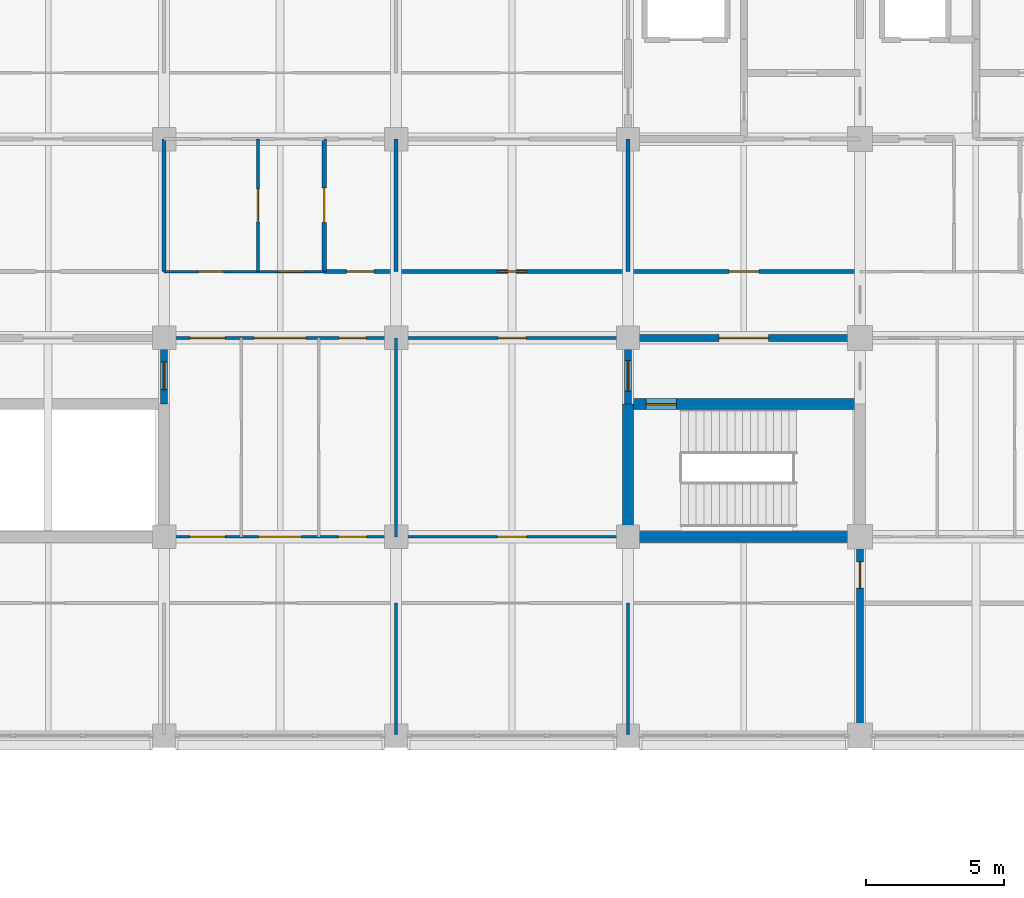
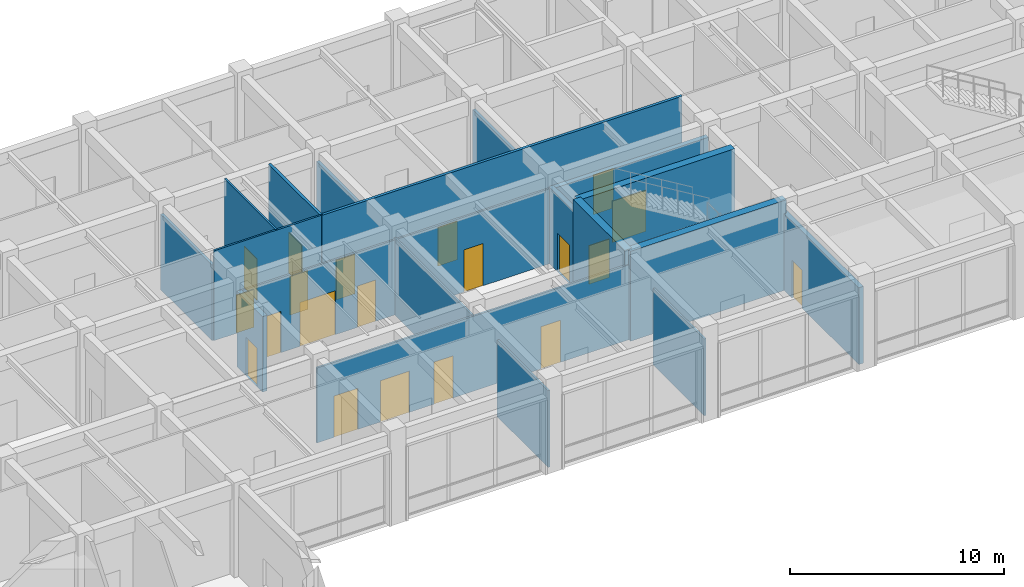
# One storey, part 34 of 58: 20 doors, 19 walls, 20 openings.
"""IFC4 building model written with IfcOpenShell, lengths in metres."""

from ifc_helpers import new_model, si_unit, direction, frame, frame_2d, origin, place, context, subcontext, project, spatial, rectangle, extrude, material, layer, layer_set, type_object, element, fill, save


model = new_model("IFC4")

# Units and contexts
model_context = context("Model", 3, precision=1e-05, world=origin(), true_north=direction((0.0, 1.0)))
body_context = subcontext(model_context, "Body", "Model", "MODEL_VIEW")
ifc_project = project(units=[si_unit("LENGTHUNIT", "METRE"), si_unit("AREAUNIT", "SQUARE_METRE"), si_unit("VOLUMEUNIT", "CUBIC_METRE"), si_unit("PLANEANGLEUNIT", "RADIAN"), si_unit("MASSUNIT", "GRAM", prefix="KILO")], contexts=[model_context])

# Site, building, storey
site_placement = place(None, origin())
site = spatial("IfcSite", under=ifc_project, at=site_placement, CompositionType="ELEMENT")
building_placement = place(site_placement, origin())
building = spatial("IfcBuilding", under=site, at=building_placement, Name="Chengyuan Square Courthouse", CompositionType="ELEMENT")
storey_placement = place(building_placement, frame((0.0, 0.0, 16.199951171875)))
storey = spatial("IfcBuildingStorey", under=building, at=storey_placement, Name="L04", CompositionType="ELEMENT", Elevation=16.199951171875)

# Wall, opening, door
ifc_material_1 = material(Name="Concrete C40", Category="concrete")
ifc_layer_1 = layer(ifc_material_1, 0.25)
ifc_layer_set_1 = layer_set([ifc_layer_1], Name="Concrete C40")
wall_type_1 = type_object("IfcWallType", Name="WL-FW1", PredefinedType="STANDARD", material=ifc_layer_set_1)
wall_1_placement = place(storey_placement, frame((42.0, 93.60009765625, 0.0), z_axis=(0.0, 0.0, 1.0), x_axis=(1.0, 0.0, 0.0)))
wall_1 = element("IfcWall", 1, at=wall_1_placement, inside=storey, type_object=wall_type_1, Name="Interior Wall WL-L04-I1812", PredefinedType="STANDARD", context=body_context, shape_type="SweptSolid", body=[
    extrude(rectangle(XDim=8.39990234375, YDim=0.25, at=frame_2d((4.199951171875, 0.0))), origin(), (0.0, 0.0, 1.0), 4.27001953125),
])
opening_1_placement = place(wall_1_placement, frame((3.28759765625, 0.0, 0.0)))
opening_1 = element("IfcOpeningElement", 2, at=opening_1_placement, cuts=wall_1, Name="Opening DR-1645", PredefinedType="OPENING", context=body_context, shape_type="SweptSolid", body=[
    extrude(rectangle(XDim=1.800048828125, YDim=2.35009765625, at=frame_2d((0.89990234375, 1.175048828125))), frame((0.0, 0.136962890625, 0.0), z_axis=(0.0, -1.0, 0.0), x_axis=(1.0, 0.0, 0.0)), (0.0, 0.0, 1.0), 0.27392578125),
])
ifc_material_2 = material(Name="Steel Q235B Glazed Fire Door", Category="steel")
door_type_1 = type_object("IfcDoorType", Name="DT-18", OperationType="DOUBLE_DOOR_SINGLE_SWING", PredefinedType="DOOR", material=ifc_material_2)
door_1_placement = place(opening_1_placement, frame((1.800048828125, 0.0, 0.0), z_axis=(0.0, 0.0, 1.0), x_axis=(-1.0, 0.0, 0.0)))
door_1 = element("IfcDoor", 3, at=door_1_placement, inside=storey, type_object=door_type_1, Name="Interior Door DR-1645", OperationType="DOUBLE_DOOR_SINGLE_SWING", OverallHeight=2.35009765625, OverallWidth=1.800048828125, PredefinedType="DOOR", context=body_context, shape_type="SweptSolid", body=[
    extrude(rectangle(XDim=1.800048828125, YDim=2.35009765625, at=frame_2d((0.89990234375, 1.175048828125))), frame((0.0, 0.02490234375, 0.0), z_axis=(0.0, -1.0, 0.0), x_axis=(1.0, 0.0, 0.0)), (0.0, 0.0, 1.0), 0.050048828125),
])
fill(opening_1, door_1)

wall_2_placement = place(storey_placement, frame((25.199951171875, 91.199951171875, 0.0), z_axis=(0.0, 0.0, 1.0), x_axis=(0.0, 1.0, 0.0)))
wall_2 = element("IfcWall", 4, at=wall_2_placement, inside=storey, type_object=wall_type_1, Name="Interior Wall WL-L04-I1934", PredefinedType="STANDARD", context=body_context, shape_type="SweptSolid", body=[
    extrude(rectangle(XDim=2.400146484375, YDim=0.25, at=frame_2d((1.2001953125, 0.0))), origin(), (0.0, 0.0, 1.0), 4.300048828125),
])
opening_2_placement = place(wall_2_placement, frame((0.527587890625, 0.0, 0.0)))
opening_2 = element("IfcOpeningElement", 5, at=opening_2_placement, cuts=wall_2, Name="Opening DR-1659", PredefinedType="OPENING", context=body_context, shape_type="SweptSolid", body=[
    extrude(rectangle(XDim=1.0, YDim=2.199951171875, at=frame_2d((0.5, 1.10009765625))), frame((0.0, 0.136962890625, 0.0), z_axis=(0.0, -1.0, 0.0), x_axis=(1.0, 0.0, 0.0)), (0.0, 0.0, 1.0), 0.27392578125),
])
ifc_material_3 = material(Name="Steel Q235B Fire Door", Category="steel")
door_type_2 = type_object("IfcDoorType", Name="DT-11", OperationType="NOTDEFINED", PredefinedType="DOOR", material=ifc_material_3)
door_2_placement = place(opening_2_placement, origin())
door_2 = element("IfcDoor", 6, at=door_2_placement, inside=storey, type_object=door_type_2, Name="Interior Door DR-1659", OperationType="SINGLE_SWING_RIGHT", OverallHeight=2.199951171875, OverallWidth=1.0, PredefinedType="DOOR", context=body_context, shape_type="SweptSolid", body=[
    extrude(rectangle(XDim=1.0, YDim=2.199951171875, at=frame_2d((0.5, 1.10009765625))), frame((0.0, 0.02490234375, 0.0), z_axis=(0.0, -1.0, 0.0), x_axis=(1.0, 0.0, 0.0)), (0.0, 0.0, 1.0), 0.050048828125),
])
fill(opening_2, door_2)

wall_3_placement = place(storey_placement, frame((42.0, 91.199951171875, 0.0), z_axis=(0.0, 0.0, 1.0), x_axis=(0.0, 1.0, 0.0)))
wall_3 = element("IfcWall", 7, at=wall_3_placement, inside=storey, type_object=wall_type_1, Name="Interior Wall WL-L04-I1947", PredefinedType="STANDARD", context=body_context, shape_type="SweptSolid", body=[
    extrude(rectangle(XDim=2.400146484375, YDim=0.25, at=frame_2d((1.2001953125, 0.0))), origin(), (0.0, 0.0, 1.0), 4.3701171875),
])
opening_3_placement = place(wall_3_placement, frame((0.4775390625, 0.0, 0.0)))
opening_3 = element("IfcOpeningElement", 8, at=opening_3_placement, cuts=wall_3, Name="Opening DR-1646", PredefinedType="OPENING", context=body_context, shape_type="SweptSolid", body=[
    extrude(rectangle(XDim=1.10009765625, YDim=2.199951171875, at=frame_2d((0.550048828125, 1.10009765625))), frame((0.0, 0.136962890625, 0.0), z_axis=(0.0, -1.0, 0.0), x_axis=(1.0, 0.0, 0.0)), (0.0, 0.0, 1.0), 0.27392578125),
])
door_type_3 = type_object("IfcDoorType", Name="DT-10", OperationType="NOTDEFINED", PredefinedType="DOOR", material=ifc_material_3)
door_3_placement = place(opening_3_placement, origin())
door_3 = element("IfcDoor", 9, at=door_3_placement, inside=storey, type_object=door_type_3, Name="Interior Door DR-1646", OperationType="SINGLE_SWING_LEFT", OverallHeight=2.199951171875, OverallWidth=1.10009765625, PredefinedType="DOOR", context=body_context, shape_type="SweptSolid", body=[
    extrude(rectangle(XDim=1.10009765625, YDim=2.199951171875, at=frame_2d((0.550048828125, 1.10009765625))), frame((0.0, 0.02490234375, 0.0), z_axis=(0.0, -1.0, 0.0), x_axis=(1.0, 0.0, 0.0)), (0.0, 0.0, 1.0), 0.050048828125),
])
fill(opening_3, door_3)

wall_4_placement = place(storey_placement, frame((50.39990234375, 79.239990234375, 0.0), z_axis=(0.0, 0.0, 1.0), x_axis=(0.0, 1.0, 0.0)))
wall_4 = element("IfcWall", 10, at=wall_4_placement, inside=storey, type_object=wall_type_1, Name="Interior Wall WL-L04-I1955", PredefinedType="STANDARD", context=body_context, shape_type="SweptSolid", body=[
    extrude(rectangle(XDim=7.159912109375, YDim=0.25, at=frame_2d((3.580078125, 0.0))), origin(), (0.0, 0.0, 1.0), 4.3701171875),
])
opening_4_placement = place(wall_4_placement, frame((5.300048828125, 0.0, 0.0)))
opening_4 = element("IfcOpeningElement", 11, at=opening_4_placement, cuts=wall_4, Name="Opening DR-1870", PredefinedType="OPENING", context=body_context, shape_type="SweptSolid", body=[
    extrude(rectangle(XDim=0.949951171875, YDim=2.14990234375, at=frame_2d((0.47509765625, 1.074951171875))), frame((0.0, 0.136962890625, 0.0), z_axis=(0.0, -1.0, 0.0), x_axis=(1.0, 0.0, 0.0)), (0.0, 0.0, 1.0), 0.27392578125),
])
door_type_4 = type_object("IfcDoorType", Name="DT-12", OperationType="NOTDEFINED", PredefinedType="DOOR", material=ifc_material_3)
door_4_placement = place(opening_4_placement, origin())
door_4 = element("IfcDoor", 12, at=door_4_placement, inside=storey, type_object=door_type_4, Name="Interior Door DR-1870", OperationType="SINGLE_SWING_LEFT", OverallHeight=2.14990234375, OverallWidth=0.949951171875, PredefinedType="DOOR", context=body_context, shape_type="SweptSolid", body=[
    extrude(rectangle(XDim=0.949951171875, YDim=2.14990234375, at=frame_2d((0.47509765625, 1.074951171875))), frame((0.0, 0.02490234375, 0.0), z_axis=(0.0, -1.0, 0.0), x_axis=(1.0, 0.0, 0.0)), (0.0, 0.0, 1.0), 0.050048828125),
])
fill(opening_4, door_4)

# Wall, openings, doors
ifc_material_4 = material(Name="Deliberation Room Sound-Insulated Partition")
ifc_layer_2 = layer(ifc_material_4, 0.14990234375)
ifc_layer_set_2 = layer_set([ifc_layer_2], Name="Deliberation Room Sound-Insulated Partition")
wall_type_2 = type_object("IfcWallType", Name="WL-PT3", PredefinedType="STANDARD", material=ifc_layer_set_2)
wall_5_placement = place(storey_placement, frame((31.0, 96.0, 0.0), z_axis=(0.0, 0.0, 1.0), x_axis=(1.0, 0.0, 0.0)))
wall_5 = element("IfcWall", 13, at=wall_5_placement, inside=storey, type_object=wall_type_2, Name="Interior Wall WL-L04-I1825", PredefinedType="STANDARD", context=body_context, shape_type="SweptSolid", body=[
    extrude(rectangle(XDim=19.39990234375, YDim=0.14990234375, at=frame_2d((9.699951171875, 0.0))), origin(), (0.0, 0.0, 1.0), 5.1201171875),
])
opening_5_placement = place(wall_5_placement, frame((0.800048828125, 0.0, 0.0)))
opening_5 = element("IfcOpeningElement", 14, at=opening_5_placement, cuts=wall_5, Name="Opening DR-1751", PredefinedType="OPENING", context=body_context, shape_type="SweptSolid", body=[
    extrude(rectangle(XDim=1.0, YDim=2.25, at=frame_2d((0.5, 1.125))), frame((0.0, 0.0869140625, 0.0), z_axis=(0.0, -1.0, 0.0), x_axis=(1.0, 0.0, 0.0)), (0.0, 0.0, 1.0), 0.173828125),
])
opening_6_placement = place(wall_5_placement, frame((6.280029296875, 0.0, 0.0)))
opening_6 = element("IfcOpeningElement", 15, at=opening_6_placement, cuts=wall_5, Name="Opening DR-1752", PredefinedType="OPENING", context=body_context, shape_type="SweptSolid", body=[
    extrude(rectangle(XDim=1.0400390625, YDim=2.199951171875, at=frame_2d((0.52001953125, 1.10009765625))), frame((0.0, 0.0869140625, 0.0), z_axis=(0.0, -1.0, 0.0), x_axis=(1.0, 0.0, 0.0)), (0.0, 0.0, 1.0), 0.173828125),
])
opening_7_placement = place(wall_5_placement, frame((14.659912109375, 0.0, 0.0)))
opening_7 = element("IfcOpeningElement", 16, at=opening_7_placement, cuts=wall_5, Name="Opening DR-1753", PredefinedType="OPENING", context=body_context, shape_type="SweptSolid", body=[
    extrude(rectangle(XDim=1.080078125, YDim=2.25, at=frame_2d((0.5400390625, 1.125))), frame((0.0, 0.0869140625, 0.0), z_axis=(0.0, -1.0, 0.0), x_axis=(1.0, 0.0, 0.0)), (0.0, 0.0, 1.0), 0.173828125),
])
ifc_material_5 = material(Name="Acoustic Solid-Core Timber Door", Category="wood")
door_type_5 = type_object("IfcDoorType", Name="DT-31", OperationType="NOTDEFINED", PredefinedType="DOOR", material=ifc_material_5)
door_5_placement = place(opening_5_placement, origin())
door_5 = element("IfcDoor", 17, at=door_5_placement, inside=storey, type_object=door_type_5, Name="Interior Door DR-1751", OperationType="SINGLE_SWING_LEFT", OverallHeight=2.25, OverallWidth=1.0, PredefinedType="DOOR", context=body_context, shape_type="SweptSolid", body=[
    extrude(rectangle(XDim=1.0, YDim=2.25, at=frame_2d((0.5, 1.125))), frame((0.0, 0.02490234375, 0.0), z_axis=(0.0, -1.0, 0.0), x_axis=(1.0, 0.0, 0.0)), (0.0, 0.0, 1.0), 0.050048828125),
])
fill(opening_5, door_5)
door_type_6 = type_object("IfcDoorType", Name="DT-32", OperationType="NOTDEFINED", PredefinedType="DOOR", material=ifc_material_5)
door_6_placement = place(opening_6_placement, origin())
door_6 = element("IfcDoor", 18, at=door_6_placement, inside=storey, type_object=door_type_6, Name="Interior Door DR-1752", OperationType="SINGLE_SWING_RIGHT", OverallHeight=2.199951171875, OverallWidth=1.0400390625, PredefinedType="DOOR", context=body_context, shape_type="SweptSolid", body=[
    extrude(rectangle(XDim=1.0400390625, YDim=2.199951171875, at=frame_2d((0.52001953125, 1.10009765625))), frame((0.0, 0.02490234375, 0.0), z_axis=(0.0, -1.0, 0.0), x_axis=(1.0, 0.0, 0.0)), (0.0, 0.0, 1.0), 0.050048828125),
])
fill(opening_6, door_6)
door_type_7 = type_object("IfcDoorType", Name="DT-33", OperationType="NOTDEFINED", PredefinedType="DOOR", material=ifc_material_5)
door_7_placement = place(opening_7_placement, origin())
door_7 = element("IfcDoor", 19, at=door_7_placement, inside=storey, type_object=door_type_7, Name="Interior Door DR-1753", OperationType="SINGLE_SWING_LEFT", OverallHeight=2.25, OverallWidth=1.080078125, PredefinedType="DOOR", context=body_context, shape_type="SweptSolid", body=[
    extrude(rectangle(XDim=1.080078125, YDim=2.25, at=frame_2d((0.5400390625, 1.125))), frame((0.0, 0.02490234375, 0.0), z_axis=(0.0, -1.0, 0.0), x_axis=(1.0, 0.0, 0.0)), (0.0, 0.0, 1.0), 0.050048828125),
])
fill(opening_7, door_7)

# Wall
wall_6_placement = place(storey_placement, frame((25.199951171875, 96.0, 0.0), z_axis=(0.0, 0.0, 1.0), x_axis=(0.0, 1.0, 0.0)))
element("IfcWall", 20, at=wall_6_placement, inside=storey, type_object=wall_type_2, Name="Interior Wall WL-L04-I1935", PredefinedType="STANDARD", context=body_context, shape_type="SweptSolid", body=[
    extrude(rectangle(XDim=4.800048828125, YDim=0.14990234375, at=frame_2d((2.39990234375, 0.0))), origin(), (0.0, 0.0, 1.0), 4.300048828125),
])

# Wall, opening, door
wall_7_placement = place(storey_placement, frame((31.0, 96.0, 0.0), z_axis=(0.0, 0.0, 1.0), x_axis=(0.0, 1.0, 0.0)))
wall_7 = element("IfcWall", 21, at=wall_7_placement, inside=storey, type_object=wall_type_2, Name="Interior Wall WL-L04-I1940", PredefinedType="STANDARD", context=body_context, shape_type="SweptSolid", body=[
    extrude(rectangle(XDim=4.800048828125, YDim=0.14990234375, at=frame_2d((2.39990234375, 0.0))), origin(), (0.0, 0.0, 1.0), 5.1201171875),
])
opening_8_placement = place(wall_7_placement, frame((1.780029296875, 0.0, 0.0)))
opening_8 = element("IfcOpeningElement", 22, at=opening_8_placement, cuts=wall_7, Name="Opening DR-1808", PredefinedType="OPENING", context=body_context, shape_type="SweptSolid", body=[
    extrude(rectangle(XDim=1.239990234375, YDim=2.300048828125, at=frame_2d((0.6201171875, 1.14990234375))), frame((0.0, 0.0869140625, 0.0), z_axis=(0.0, -1.0, 0.0), x_axis=(1.0, 0.0, 0.0)), (0.0, 0.0, 1.0), 0.173828125),
])
door_type_8 = type_object("IfcDoorType", Name="DT-37", OperationType="NOTDEFINED", PredefinedType="DOOR", material=ifc_material_5)
door_8_placement = place(opening_8_placement, origin())
door_8 = element("IfcDoor", 23, at=door_8_placement, inside=storey, type_object=door_type_8, Name="Interior Door DR-1808", OperationType="SINGLE_SWING_LEFT", OverallHeight=2.300048828125, OverallWidth=1.239990234375, PredefinedType="DOOR", context=body_context, shape_type="SweptSolid", body=[
    extrude(rectangle(XDim=1.239990234375, YDim=2.300048828125, at=frame_2d((0.6201171875, 1.14990234375))), frame((0.0, 0.02490234375, 0.0), z_axis=(0.0, -1.0, 0.0), x_axis=(1.0, 0.0, 0.0)), (0.0, 0.0, 1.0), 0.050048828125),
])
fill(opening_8, door_8)

# Walls
for number, where, z_axis, x_axis, name in (
    (24, (33.60009765625, 96.0, 0.0), (0.0, 0.0, 1.0), (0.0, 1.0, 0.0), "Interior Wall WL-L04-I1943"),
    (25, (42.0, 96.0, 0.0), (0.0, 0.0, 1.0), (0.0, 1.0, 0.0), "Interior Wall WL-L04-I1948"),
):
    element("IfcWall", number, at=place(storey_placement, frame(where, z_axis=z_axis, x_axis=x_axis)), inside=storey, type_object=wall_type_2, Name=name, PredefinedType="STANDARD", context=body_context, shape_type="SweptSolid", body=[
        extrude(rectangle(XDim=4.800048828125, YDim=0.14990234375, at=frame_2d((2.39990234375, 0.0))), origin(), (0.0, 0.0, 1.0), 4.3701171875),
    ])

# Wall, openings, doors
ifc_material_6 = material(Name="Gypsum Plasterboard Acoustic Stud Partition")
ifc_layer_3 = layer(ifc_material_6, 0.10009765625)
ifc_layer_set_3 = layer_set([ifc_layer_3], Name="Gypsum Plasterboard Acoustic Stud Partition")
wall_type_3 = type_object("IfcWallType", Name="WL-PT6", PredefinedType="STANDARD", material=ifc_layer_set_3)
wall_8_placement = place(storey_placement, frame((25.199951171875, 86.39990234375, 0.0), z_axis=(0.0, 0.0, 1.0), x_axis=(1.0, 0.0, 0.0)))
wall_8 = element("IfcWall", 26, at=wall_8_placement, inside=storey, type_object=wall_type_3, Name="Interior Wall WL-L04-I1780", PredefinedType="STANDARD", context=body_context, shape_type="SweptSolid", body=[
    extrude(rectangle(XDim=16.800048828125, YDim=0.10009765625, at=frame_2d((8.39990234375, 0.0))), origin(), (0.0, 0.0, 1.0), 4.27001953125),
])
opening_9_placement = place(wall_8_placement, frame((0.9326171875, 0.0, 0.0)))
opening_9 = element("IfcOpeningElement", 27, at=opening_9_placement, cuts=wall_8, Name="Opening DR-1826", PredefinedType="OPENING", context=body_context, shape_type="SweptSolid", body=[
    extrude(rectangle(XDim=1.280029296875, YDim=2.35009765625, at=frame_2d((0.64013671875, 1.175048828125))), frame((0.0, 0.06201171875, 0.0), z_axis=(0.0, -1.0, 0.0), x_axis=(1.0, 0.0, 0.0)), (0.0, 0.0, 1.0), 0.1240234375),
])
opening_10_placement = place(wall_8_placement, frame((3.425048828125, 0.0, 0.0)))
opening_10 = element("IfcOpeningElement", 28, at=opening_10_placement, cuts=wall_8, Name="Opening DR-1828", PredefinedType="OPENING", context=body_context, shape_type="SweptSolid", body=[
    extrude(rectangle(XDim=1.550048828125, YDim=2.35009765625, at=frame_2d((0.77490234375, 1.175048828125))), frame((0.0, 0.06201171875, 0.0), z_axis=(0.0, -1.0, 0.0), x_axis=(1.0, 0.0, 0.0)), (0.0, 0.0, 1.0), 0.1240234375),
])
opening_11_placement = place(wall_8_placement, frame((6.3173828125, 0.0, 0.0)))
opening_11 = element("IfcOpeningElement", 29, at=opening_11_placement, cuts=wall_8, Name="Opening DR-1829", PredefinedType="OPENING", context=body_context, shape_type="SweptSolid", body=[
    extrude(rectangle(XDim=1.02001953125, YDim=2.39990234375, at=frame_2d((0.510009765625, 1.199951171875))), frame((0.0, 0.06201171875, 0.0), z_axis=(0.0, -1.0, 0.0), x_axis=(1.0, 0.0, 0.0)), (0.0, 0.0, 1.0), 0.1240234375),
])
opening_12_placement = place(wall_8_placement, frame((12.070068359375, 0.0, 0.0)))
opening_12 = element("IfcOpeningElement", 30, at=opening_12_placement, cuts=wall_8, Name="Opening DR-1830", PredefinedType="OPENING", context=body_context, shape_type="SweptSolid", body=[
    extrude(rectangle(XDim=1.06005859375, YDim=2.39990234375, at=frame_2d((0.530029296875, 1.199951171875))), frame((0.0, 0.06201171875, 0.0), z_axis=(0.0, -1.0, 0.0), x_axis=(1.0, 0.0, 0.0)), (0.0, 0.0, 1.0), 0.1240234375),
])
ifc_material_7 = material(Name="Acoustic Larch Veneer Double Door")
door_type_9 = type_object("IfcDoorType", Name="DT-23", OperationType="DOUBLE_DOOR_SINGLE_SWING", PredefinedType="DOOR", material=ifc_material_7)
door_9_placement = place(opening_10_placement, frame((1.550048828125, 0.0, 0.0), z_axis=(0.0, 0.0, 1.0), x_axis=(-1.0, 0.0, 0.0)))
door_9 = element("IfcDoor", 31, at=door_9_placement, inside=storey, type_object=door_type_9, Name="Interior Door DR-1828", OperationType="DOUBLE_DOOR_SINGLE_SWING", OverallHeight=2.35009765625, OverallWidth=1.550048828125, PredefinedType="DOOR", context=body_context, shape_type="SweptSolid", body=[
    extrude(rectangle(XDim=1.550048828125, YDim=2.35009765625, at=frame_2d((0.77490234375, 1.175048828125))), frame((0.0, 0.02490234375, 0.0), z_axis=(0.0, -1.0, 0.0), x_axis=(1.0, 0.0, 0.0)), (0.0, 0.0, 1.0), 0.050048828125),
])
fill(opening_10, door_9)
door_type_10 = type_object("IfcDoorType", Name="DT-38", OperationType="NOTDEFINED", PredefinedType="DOOR", material=ifc_material_5)
door_10_placement = place(opening_9_placement, origin())
door_10 = element("IfcDoor", 32, at=door_10_placement, inside=storey, type_object=door_type_10, Name="Interior Door DR-1826", OperationType="SINGLE_SWING_RIGHT", OverallHeight=2.35009765625, OverallWidth=1.280029296875, PredefinedType="DOOR", context=body_context, shape_type="SweptSolid", body=[
    extrude(rectangle(XDim=1.280029296875, YDim=2.35009765625, at=frame_2d((0.64013671875, 1.175048828125))), frame((0.0, 0.02490234375, 0.0), z_axis=(0.0, -1.0, 0.0), x_axis=(1.0, 0.0, 0.0)), (0.0, 0.0, 1.0), 0.050048828125),
])
fill(opening_9, door_10)
door_type_11 = type_object("IfcDoorType", Name="DT-41", OperationType="NOTDEFINED", PredefinedType="DOOR", material=ifc_material_5)
door_11_placement = place(opening_11_placement, origin())
door_11 = element("IfcDoor", 33, at=door_11_placement, inside=storey, type_object=door_type_11, Name="Interior Door DR-1829", OperationType="SINGLE_SWING_RIGHT", OverallHeight=2.39990234375, OverallWidth=1.02001953125, PredefinedType="DOOR", context=body_context, shape_type="SweptSolid", body=[
    extrude(rectangle(XDim=1.02001953125, YDim=2.39990234375, at=frame_2d((0.510009765625, 1.199951171875))), frame((0.0, 0.02490234375, 0.0), z_axis=(0.0, -1.0, 0.0), x_axis=(1.0, 0.0, 0.0)), (0.0, 0.0, 1.0), 0.050048828125),
])
fill(opening_11, door_11)
door_type_12 = type_object("IfcDoorType", Name="DT-42", OperationType="NOTDEFINED", PredefinedType="DOOR", material=ifc_material_5)
door_12_placement = place(opening_12_placement, origin())
door_12 = element("IfcDoor", 34, at=door_12_placement, inside=storey, type_object=door_type_12, Name="Interior Door DR-1830", OperationType="SINGLE_SWING_LEFT", OverallHeight=2.39990234375, OverallWidth=1.06005859375, PredefinedType="DOOR", context=body_context, shape_type="SweptSolid", body=[
    extrude(rectangle(XDim=1.06005859375, YDim=2.39990234375, at=frame_2d((0.530029296875, 1.199951171875))), frame((0.0, 0.02490234375, 0.0), z_axis=(0.0, -1.0, 0.0), x_axis=(1.0, 0.0, 0.0)), (0.0, 0.0, 1.0), 0.050048828125),
])
fill(opening_12, door_12)

wall_9_placement = place(storey_placement, frame((25.199951171875, 93.60009765625, 0.0), z_axis=(0.0, 0.0, 1.0), x_axis=(1.0, 0.0, 0.0)))
wall_9 = element("IfcWall", 35, at=wall_9_placement, inside=storey, type_object=wall_type_3, Name="Interior Wall WL-L04-I1811", PredefinedType="STANDARD", context=body_context, shape_type="SweptSolid", body=[
    extrude(rectangle(XDim=16.800048828125, YDim=0.10009765625, at=frame_2d((8.39990234375, 0.0))), origin(), (0.0, 0.0, 1.0), 4.27001953125),
])
opening_13_placement = place(wall_9_placement, frame((0.9326171875, 0.0, 0.0)))
opening_13 = element("IfcOpeningElement", 36, at=opening_13_placement, cuts=wall_9, Name="Opening DR-1758", PredefinedType="OPENING", context=body_context, shape_type="SweptSolid", body=[
    extrude(rectangle(XDim=1.280029296875, YDim=2.35009765625, at=frame_2d((0.64013671875, 1.175048828125))), frame((0.0, 0.06201171875, 0.0), z_axis=(0.0, -1.0, 0.0), x_axis=(1.0, 0.0, 0.0)), (0.0, 0.0, 1.0), 0.1240234375),
])
opening_14_placement = place(wall_9_placement, frame((3.25, 0.0, 0.0)))
opening_14 = element("IfcOpeningElement", 37, at=opening_14_placement, cuts=wall_9, Name="Opening DR-1759", PredefinedType="OPENING", context=body_context, shape_type="SweptSolid", body=[
    extrude(rectangle(XDim=1.89990234375, YDim=2.5, at=frame_2d((0.949951171875, 1.25))), frame((0.0, 0.06201171875, 0.0), z_axis=(0.0, -1.0, 0.0), x_axis=(1.0, 0.0, 0.0)), (0.0, 0.0, 1.0), 0.1240234375),
])
opening_15_placement = place(wall_9_placement, frame((6.33740234375, 0.0, 0.0)))
opening_15 = element("IfcOpeningElement", 38, at=opening_15_placement, cuts=wall_9, Name="Opening DR-1760", PredefinedType="OPENING", context=body_context, shape_type="SweptSolid", body=[
    extrude(rectangle(XDim=0.97998046875, YDim=2.35009765625, at=frame_2d((0.489990234375, 1.175048828125))), frame((0.0, 0.06201171875, 0.0), z_axis=(0.0, -1.0, 0.0), x_axis=(1.0, 0.0, 0.0)), (0.0, 0.0, 1.0), 0.1240234375),
])
opening_16_placement = place(wall_9_placement, frame((12.090087890625, 0.0, 0.0)))
opening_16 = element("IfcOpeningElement", 39, at=opening_16_placement, cuts=wall_9, Name="Opening DR-1761", PredefinedType="OPENING", context=body_context, shape_type="SweptSolid", body=[
    extrude(rectangle(XDim=1.02001953125, YDim=2.39990234375, at=frame_2d((0.510009765625, 1.199951171875))), frame((0.0, 0.06201171875, 0.0), z_axis=(0.0, -1.0, 0.0), x_axis=(1.0, 0.0, 0.0)), (0.0, 0.0, 1.0), 0.1240234375),
])
door_type_13 = type_object("IfcDoorType", Name="DT-26", OperationType="DOUBLE_DOOR_SINGLE_SWING", PredefinedType="DOOR", material=ifc_material_7)
door_13_placement = place(opening_14_placement, frame((1.89990234375, 0.0, 0.0), z_axis=(0.0, 0.0, 1.0), x_axis=(-1.0, 0.0, 0.0)))
door_13 = element("IfcDoor", 40, at=door_13_placement, inside=storey, type_object=door_type_13, Name="Interior Door DR-1759", OperationType="DOUBLE_DOOR_SINGLE_SWING", OverallHeight=2.5, OverallWidth=1.89990234375, PredefinedType="DOOR", context=body_context, shape_type="SweptSolid", body=[
    extrude(rectangle(XDim=1.89990234375, YDim=2.5, at=frame_2d((0.949951171875, 1.25))), frame((0.0, 0.02490234375, 0.0), z_axis=(0.0, -1.0, 0.0), x_axis=(1.0, 0.0, 0.0)), (0.0, 0.0, 1.0), 0.050048828125),
])
fill(opening_14, door_13)
door_14_placement = place(opening_13_placement, origin())
door_14 = element("IfcDoor", 41, at=door_14_placement, inside=storey, type_object=door_type_10, Name="Interior Door DR-1758", OperationType="SINGLE_SWING_LEFT", OverallHeight=2.35009765625, OverallWidth=1.280029296875, PredefinedType="DOOR", context=body_context, shape_type="SweptSolid", body=[
    extrude(rectangle(XDim=1.280029296875, YDim=2.35009765625, at=frame_2d((0.64013671875, 1.175048828125))), frame((0.0, 0.02490234375, 0.0), z_axis=(0.0, -1.0, 0.0), x_axis=(1.0, 0.0, 0.0)), (0.0, 0.0, 1.0), 0.050048828125),
])
fill(opening_13, door_14)
door_type_14 = type_object("IfcDoorType", Name="DT-40", OperationType="NOTDEFINED", PredefinedType="DOOR", material=ifc_material_5)
door_15_placement = place(opening_15_placement, origin())
door_15 = element("IfcDoor", 42, at=door_15_placement, inside=storey, type_object=door_type_14, Name="Interior Door DR-1760", OperationType="SINGLE_SWING_RIGHT", OverallHeight=2.35009765625, OverallWidth=0.97998046875, PredefinedType="DOOR", context=body_context, shape_type="SweptSolid", body=[
    extrude(rectangle(XDim=0.97998046875, YDim=2.35009765625, at=frame_2d((0.489990234375, 1.175048828125))), frame((0.0, 0.02490234375, 0.0), z_axis=(0.0, -1.0, 0.0), x_axis=(1.0, 0.0, 0.0)), (0.0, 0.0, 1.0), 0.050048828125),
])
fill(opening_15, door_15)
door_16_placement = place(opening_16_placement, origin())
door_16 = element("IfcDoor", 43, at=door_16_placement, inside=storey, type_object=door_type_11, Name="Interior Door DR-1761", OperationType="SINGLE_SWING_LEFT", OverallHeight=2.39990234375, OverallWidth=1.02001953125, PredefinedType="DOOR", context=body_context, shape_type="SweptSolid", body=[
    extrude(rectangle(XDim=1.02001953125, YDim=2.39990234375, at=frame_2d((0.510009765625, 1.199951171875))), frame((0.0, 0.02490234375, 0.0), z_axis=(0.0, -1.0, 0.0), x_axis=(1.0, 0.0, 0.0)), (0.0, 0.0, 1.0), 0.050048828125),
])
fill(opening_16, door_16)

wall_10_placement = place(storey_placement, frame((25.199951171875, 96.0, 0.0), z_axis=(0.0, 0.0, 1.0), x_axis=(1.0, 0.0, 0.0)))
wall_10 = element("IfcWall", 44, at=wall_10_placement, inside=storey, type_object=wall_type_3, Name="Interior Wall WL-L04-I1824", PredefinedType="STANDARD", context=body_context, shape_type="SweptSolid", body=[
    extrude(rectangle(XDim=5.800048828125, YDim=0.10009765625, at=frame_2d((2.89990234375, 0.0))), origin(), (0.0, 0.0, 1.0), 5.1201171875),
])
opening_17_placement = place(wall_10_placement, frame((1.239990234375, 0.0, 0.0)))
opening_17 = element("IfcOpeningElement", 45, at=opening_17_placement, cuts=wall_10, Name="Opening DR-1749", PredefinedType="OPENING", context=body_context, shape_type="SweptSolid", body=[
    extrude(rectangle(XDim=0.919921875, YDim=2.14990234375, at=frame_2d((0.4599609375, 1.074951171875))), frame((0.0, 0.06201171875, 0.0), z_axis=(0.0, -1.0, 0.0), x_axis=(1.0, 0.0, 0.0)), (0.0, 0.0, 1.0), 0.1240234375),
])
opening_18_placement = place(wall_10_placement, frame((4.1201171875, 0.0, 0.0)))
opening_18 = element("IfcOpeningElement", 46, at=opening_18_placement, cuts=wall_10, Name="Opening DR-1750", PredefinedType="OPENING", context=body_context, shape_type="SweptSolid", body=[
    extrude(rectangle(XDim=0.9599609375, YDim=2.199951171875, at=frame_2d((0.47998046875, 1.10009765625))), frame((0.0, 0.06201171875, 0.0), z_axis=(0.0, -1.0, 0.0), x_axis=(1.0, 0.0, 0.0)), (0.0, 0.0, 1.0), 0.1240234375),
])
door_type_15 = type_object("IfcDoorType", Name="DT-29", OperationType="NOTDEFINED", PredefinedType="DOOR", material=ifc_material_5)
door_17_placement = place(opening_17_placement, origin())
door_17 = element("IfcDoor", 47, at=door_17_placement, inside=storey, type_object=door_type_15, Name="Interior Door DR-1749", OperationType="SINGLE_SWING_LEFT", OverallHeight=2.14990234375, OverallWidth=0.919921875, PredefinedType="DOOR", context=body_context, shape_type="SweptSolid", body=[
    extrude(rectangle(XDim=0.919921875, YDim=2.14990234375, at=frame_2d((0.4599609375, 1.074951171875))), frame((0.0, 0.02490234375, 0.0), z_axis=(0.0, -1.0, 0.0), x_axis=(1.0, 0.0, 0.0)), (0.0, 0.0, 1.0), 0.050048828125),
])
fill(opening_17, door_17)
door_type_16 = type_object("IfcDoorType", Name="DT-30", OperationType="NOTDEFINED", PredefinedType="DOOR", material=ifc_material_5)
door_18_placement = place(opening_18_placement, origin())
door_18 = element("IfcDoor", 48, at=door_18_placement, inside=storey, type_object=door_type_16, Name="Interior Door DR-1750", OperationType="SINGLE_SWING_RIGHT", OverallHeight=2.199951171875, OverallWidth=0.9599609375, PredefinedType="DOOR", context=body_context, shape_type="SweptSolid", body=[
    extrude(rectangle(XDim=0.9599609375, YDim=2.199951171875, at=frame_2d((0.47998046875, 1.10009765625))), frame((0.0, 0.02490234375, 0.0), z_axis=(0.0, -1.0, 0.0), x_axis=(1.0, 0.0, 0.0)), (0.0, 0.0, 1.0), 0.050048828125),
])
fill(opening_18, door_18)

# Wall, opening, door
wall_11_placement = place(storey_placement, frame((28.60009765625, 96.0, 0.0), z_axis=(0.0, 0.0, 1.0), x_axis=(0.0, 1.0, 0.0)))
wall_11 = element("IfcWall", 49, at=wall_11_placement, inside=storey, type_object=wall_type_3, Name="Interior Wall WL-L04-I1938", PredefinedType="STANDARD", context=body_context, shape_type="SweptSolid", body=[
    extrude(rectangle(XDim=4.800048828125, YDim=0.10009765625, at=frame_2d((2.39990234375, 0.0))), origin(), (0.0, 0.0, 1.0), 5.1201171875),
])
opening_19_placement = place(wall_11_placement, frame((1.800048828125, 0.0, 0.0)))
opening_19 = element("IfcOpeningElement", 50, at=opening_19_placement, cuts=wall_11, Name="Opening DR-1807", PredefinedType="OPENING", context=body_context, shape_type="SweptSolid", body=[
    extrude(rectangle(XDim=1.199951171875, YDim=2.35009765625, at=frame_2d((0.60009765625, 1.175048828125))), frame((0.0, 0.06201171875, 0.0), z_axis=(0.0, -1.0, 0.0), x_axis=(1.0, 0.0, 0.0)), (0.0, 0.0, 1.0), 0.1240234375),
])
door_type_17 = type_object("IfcDoorType", Name="DT-36", OperationType="NOTDEFINED", PredefinedType="DOOR", material=ifc_material_5)
door_19_placement = place(opening_19_placement, origin())
door_19 = element("IfcDoor", 51, at=door_19_placement, inside=storey, type_object=door_type_17, Name="Interior Door DR-1807", OperationType="SINGLE_SWING_RIGHT", OverallHeight=2.35009765625, OverallWidth=1.199951171875, PredefinedType="DOOR", context=body_context, shape_type="SweptSolid", body=[
    extrude(rectangle(XDim=1.199951171875, YDim=2.35009765625, at=frame_2d((0.60009765625, 1.175048828125))), frame((0.0, 0.02490234375, 0.0), z_axis=(0.0, -1.0, 0.0), x_axis=(1.0, 0.0, 0.0)), (0.0, 0.0, 1.0), 0.050048828125),
])
fill(opening_19, door_19)

# Walls
wall_12_placement = place(storey_placement, frame((33.60009765625, 79.239990234375, 0.0), z_axis=(0.0, 0.0, 1.0), x_axis=(0.0, 1.0, 0.0)))
element("IfcWall", 52, at=wall_12_placement, inside=storey, type_object=wall_type_3, Name="Interior Wall WL-L04-I1941", PredefinedType="STANDARD", context=body_context, shape_type="SweptSolid", body=[
    extrude(rectangle(XDim=4.760009765625, YDim=0.10009765625, at=frame_2d((2.3798828125, 0.0))), origin(), (0.0, 0.0, 1.0), 4.3701171875),
])
wall_13_placement = place(storey_placement, frame((33.60009765625, 86.39990234375, 0.0), z_axis=(0.0, 0.0, 1.0), x_axis=(0.0, 1.0, 0.0)))
element("IfcWall", 53, at=wall_13_placement, inside=storey, type_object=wall_type_3, Name="Interior Wall WL-L04-I1942", PredefinedType="STANDARD", context=body_context, shape_type="SweptSolid", body=[
    extrude(rectangle(XDim=7.2001953125, YDim=0.10009765625, at=frame_2d((3.60009765625, 0.0))), origin(), (0.0, 0.0, 1.0), 4.3701171875),
])
wall_14_placement = place(storey_placement, frame((42.0, 79.239990234375, 0.0), z_axis=(0.0, 0.0, 1.0), x_axis=(0.0, 1.0, 0.0)))
element("IfcWall", 54, at=wall_14_placement, inside=storey, type_object=wall_type_3, Name="Interior Wall WL-L04-I1945", PredefinedType="STANDARD", context=body_context, shape_type="SweptSolid", body=[
    extrude(rectangle(XDim=4.760009765625, YDim=0.10009765625, at=frame_2d((2.3798828125, 0.0))), origin(), (0.0, 0.0, 1.0), 4.3701171875),
])
ifc_material_8 = material(Name="Concrete C50", Category="concrete")
ifc_layer_4 = layer(ifc_material_8, 0.39990234375)
ifc_layer_set_4 = layer_set([ifc_layer_4], Name="Concrete C50")
wall_type_4 = type_object("IfcWallType", Name="WL-SW1", PredefinedType="SHEAR", material=ifc_layer_set_4)
wall_15_placement = place(storey_placement, frame((42.0, 86.39990234375, 0.0), z_axis=(0.0, 0.0, 1.0), x_axis=(1.0, 0.0, 0.0)))
element("IfcWall", 55, at=wall_15_placement, inside=storey, type_object=wall_type_4, Name="Interior Wall WL-L04-I1781", PredefinedType="SHEAR", context=body_context, shape_type="SweptSolid", body=[
    extrude(rectangle(XDim=8.39990234375, YDim=0.39990234375, at=frame_2d((4.199951171875, 0.0))), origin(), (0.0, 0.0, 1.0), 5.1201171875),
])

# Wall, opening, door
wall_16_placement = place(storey_placement, frame((42.0, 91.199951171875, 0.0), z_axis=(0.0, 0.0, 1.0), x_axis=(1.0, 0.0, 0.0)))
wall_16 = element("IfcWall", 56, at=wall_16_placement, inside=storey, type_object=wall_type_4, Name="Interior Wall WL-L04-I1803", PredefinedType="SHEAR", context=body_context, shape_type="SweptSolid", body=[
    extrude(rectangle(XDim=8.39990234375, YDim=0.39990234375, at=frame_2d((4.199951171875, 0.0))), origin(), (0.0, 0.0, 1.0), 5.1201171875),
])
opening_20_placement = place(wall_16_placement, frame((0.64990234375, 0.0, 0.0)))
opening_20 = element("IfcOpeningElement", 57, at=opening_20_placement, cuts=wall_16, Name="Opening DR-1627", PredefinedType="OPENING", context=body_context, shape_type="SweptSolid", body=[
    extrude(rectangle(XDim=1.10009765625, YDim=2.199951171875, at=frame_2d((0.550048828125, 1.10009765625))), frame((0.0, 0.2119140625, 0.0), z_axis=(0.0, -1.0, 0.0), x_axis=(1.0, 0.0, 0.0)), (0.0, 0.0, 1.0), 0.423828125),
])
door_20_placement = place(opening_20_placement, frame((1.10009765625, 0.0, 0.0), z_axis=(0.0, 0.0, 1.0), x_axis=(-1.0, 0.0, 0.0)))
door_20 = element("IfcDoor", 58, at=door_20_placement, inside=storey, type_object=door_type_3, Name="Smoke-Proof Stairwell Fire Door ST-5 DR-1627", OperationType="SINGLE_SWING_LEFT", OverallHeight=2.199951171875, OverallWidth=1.10009765625, PredefinedType="DOOR", context=body_context, shape_type="SweptSolid", body=[
    extrude(rectangle(XDim=1.10009765625, YDim=2.199951171875, at=frame_2d((0.550048828125, 1.10009765625))), frame((0.0, 0.02490234375, 0.0), z_axis=(0.0, -1.0, 0.0), x_axis=(1.0, 0.0, 0.0)), (0.0, 0.0, 1.0), 0.050048828125),
])
fill(opening_20, door_20)

# Wall
wall_17_placement = place(storey_placement, frame((42.0, 86.39990234375, 0.0), z_axis=(0.0, 0.0, 1.0), x_axis=(0.0, 1.0, 0.0)))
element("IfcWall", 59, at=wall_17_placement, inside=storey, type_object=wall_type_4, Name="Interior Wall WL-L04-I1946", PredefinedType="SHEAR", context=body_context, shape_type="SweptSolid", body=[
    extrude(rectangle(XDim=4.800048828125, YDim=0.39990234375, at=frame_2d((2.39990234375, 0.0))), origin(), (0.0, 0.0, 1.0), 5.1201171875),
])

save(model, "model.ifc")
